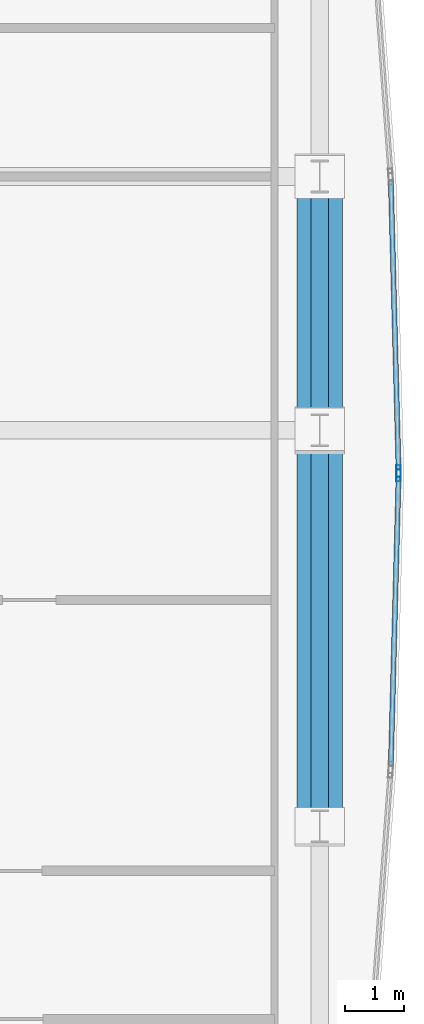
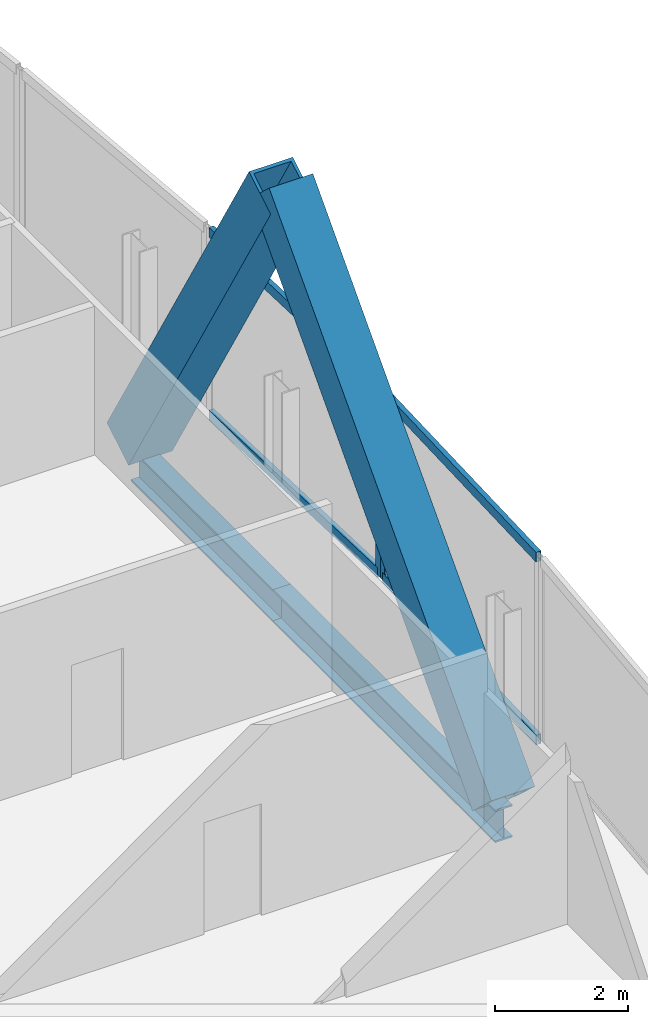
# One storey, part 22 of 31: 8 members, 2 beams, 2 elements without a shape of their own.
"""IFC4 building model written with IfcOpenShell, lengths in metres."""

from ifc_helpers import new_model, si_unit, direction, frame, origin, origin_2d, place, context, subcontext, project, spatial, hollow_rectangle, i_section, extrude, material, material_profile, profile_set, type_object, element, aggregate, save


model = new_model("IFC4")

# Units and contexts
model_context = context("Model", 3, precision=1e-05, world=origin(), true_north=direction((0.0, 1.0)))
body_context = subcontext(model_context, "Body", "Model", "MODEL_VIEW")
ifc_project = project(units=[si_unit("LENGTHUNIT", "METRE"), si_unit("AREAUNIT", "SQUARE_METRE"), si_unit("VOLUMEUNIT", "CUBIC_METRE"), si_unit("PLANEANGLEUNIT", "RADIAN"), si_unit("MASSUNIT", "GRAM", prefix="KILO")], contexts=[model_context])

# Site, building, storey
site_placement = place(None, origin())
site = spatial("IfcSite", under=ifc_project, at=site_placement, CompositionType="ELEMENT")
building_placement = place(site_placement, origin())
building = spatial("IfcBuilding", under=site, at=building_placement, Name="Khoronbel Lancet Exchange", CompositionType="ELEMENT")
storey_placement = place(building_placement, frame((0.0, 0.0, 129.0)))
storey = spatial("IfcBuildingStorey", under=building, at=storey_placement, Name="L31", CompositionType="ELEMENT", Elevation=129.0)

# Beams
ifc_material_1 = material(Name="Steel S355", Category="steel")
ifc_material_profile_1 = material_profile(ifc_material_1, i_section(OverallWidth=0.300048828125, OverallDepth=0.60009765625, WebThickness=0.015380859375, FlangeThickness=0.030029296875, at=origin_2d()), Name="HEB 600")
ifc_profile_set_1 = profile_set([ifc_material_profile_1], Name="Steel S355")
beam_type = type_object("IfcBeamType", Name="BM-BSP2", PredefinedType="SPANDREL", material=ifc_profile_set_1)
beam_1_placement = place(storey_placement, frame((69.6298828125, 24.75, -0.4599609375), z_axis=(0.0, 1.0, 0.0), x_axis=(-1.0, 0.0, 0.0)))
element("IfcBeam", 1, at=beam_1_placement, inside=storey, type_object=beam_type, Name="Level L31 perimeter spandrel beam SP12", PredefinedType="SPANDREL", context=body_context, shape_type="SweptSolid", body=[
    extrude(i_section(OverallWidth=0.300048828125, OverallDepth=0.60009765625, WebThickness=0.015380859375, FlangeThickness=0.030029296875, at=origin_2d()), origin(), (0.0, 0.0, 1.0), 6.675048828125),
])
beam_2_placement = place(storey_placement, frame((69.6298828125, 31.425048828125, -0.4599609375), z_axis=(0.0, 1.0, 0.0), x_axis=(-1.0, 0.0, 0.0)))
element("IfcBeam", 2, at=beam_2_placement, inside=storey, type_object=beam_type, Name="Level L31 perimeter spandrel beam SP13", PredefinedType="SPANDREL", context=body_context, shape_type="SweptSolid", body=[
    extrude(i_section(OverallWidth=0.300048828125, OverallDepth=0.60009765625, WebThickness=0.015380859375, FlangeThickness=0.030029296875, at=origin_2d()), origin(), (0.0, 0.0, 1.0), 4.27490234375),
])

# Curtain wall, member
ifc_material_2 = material(Name="Low-E Solar Control Insulating Glass", Category="glass")
curtain_wall_type = type_object("IfcCurtainWallType", Name="CW-4", PredefinedType="NOTDEFINED", material=ifc_material_2)
curtain_wall_1_placement = place(storey_placement, origin())
curtain_wall_1 = element("IfcCurtainWall", 3, at=curtain_wall_1_placement, inside=storey, type_object=curtain_wall_type, Name="Unitised curtain wall CW-L31-E19", PredefinedType="NOTDEFINED")
ifc_material_3 = material(Name="Bronze-Anodised Aluminium 6063-T6", Category="aluminium")
ifc_material_profile_2 = material_profile(ifc_material_3, hollow_rectangle(XDim=0.074951171875, YDim=0.199951171875, WallThickness=0.0048828125, at=origin_2d()), Name="ALU MULLION 75x200")
ifc_profile_set_2 = profile_set([ifc_material_profile_2], Name="Bronze-Anodised Aluminium 6063-T6")
member_type_1 = type_object("IfcMemberType", Name="MEM-CWM2", PredefinedType="MULLION", material=ifc_profile_set_2)
member_1_placement = place(storey_placement, frame((70.958984375, 30.737548828125, 0.0), z_axis=(0.0, 0.0, 1.0), x_axis=(0.99964096293, 0.026794500031, 0.0)))
member_1 = element("IfcMember", 4, at=member_1_placement, type_object=member_type_1, Name="CW4 mullion 2", PredefinedType="MULLION", context=body_context, shape_type="SweptSolid", body=[
    extrude(hollow_rectangle(XDim=0.074951171875, YDim=0.199951171875, WallThickness=0.0048828125, at=origin_2d()), origin(), (0.0, 0.0, 1.0), 3.43994140625),
])

curtain_wall_2_placement = place(storey_placement, origin())
curtain_wall_2 = element("IfcCurtainWall", 5, at=curtain_wall_2_placement, inside=storey, type_object=curtain_wall_type, Name="Unitised curtain wall CW-L31-E20", PredefinedType="NOTDEFINED")
member_2_placement = place(storey_placement, frame((70.958984375, 30.66259765625, 0.0), z_axis=(0.0, 0.0, 1.0), x_axis=(0.99964096293, -0.026794500031, 0.0)))
member_2 = element("IfcMember", 6, at=member_2_placement, type_object=member_type_1, Name="CW4 mullion 1", PredefinedType="MULLION", context=body_context, shape_type="SweptSolid", body=[
    extrude(hollow_rectangle(XDim=0.074951171875, YDim=0.199951171875, WallThickness=0.0048828125, at=origin_2d()), origin(), (0.0, 0.0, 1.0), 3.43994140625),
])

# Member
ifc_material_profile_3 = material_profile(ifc_material_3, hollow_rectangle(XDim=0.0849609375, YDim=0.179931640625, WallThickness=0.0048828125, at=origin_2d()), Name="ALU TRANSOM 85x180")
ifc_profile_set_3 = profile_set([ifc_material_profile_3], Name="Bronze-Anodised Aluminium 6063-T6")
member_type_2 = type_object("IfcMemberType", Name="MEM-CWT1", PredefinedType="USERDEFINED", material=ifc_profile_set_3)
member_3_placement = place(storey_placement, frame((70.828125, 35.62060546875, 0.04248046875), z_axis=(0.026794084956, -0.999640974056, 0.0), x_axis=(0.999640974056, 0.026794084956, 0.0)))
member_3 = element("IfcMember", 7, at=member_3_placement, type_object=member_type_2, Name="CW4 transom 1.1", ObjectType="TRANSOM", PredefinedType="USERDEFINED", context=body_context, shape_type="SweptSolid", body=[
    extrude(hollow_rectangle(XDim=0.0849609375, YDim=0.179931640625, WallThickness=0.0048828125, at=origin_2d()), origin(), (0.0, 0.0, 1.0), 4.847412109375),
])

member_4_placement = place(storey_placement, frame((70.828125, 35.62060546875, 3.3974609375), z_axis=(0.026794084956, -0.999640974056, 0.0), x_axis=(0.999640974056, 0.026794084956, 0.0)))
member_4 = element("IfcMember", 8, at=member_4_placement, type_object=member_type_2, Name="CW4 transom 1.2", ObjectType="TRANSOM", PredefinedType="USERDEFINED", context=body_context, shape_type="SweptSolid", body=[
    extrude(hollow_rectangle(XDim=0.0849609375, YDim=0.179931640625, WallThickness=0.0048828125, at=origin_2d()), origin(), (0.0, 0.0, 1.0), 4.847412109375),
])

aggregate(curtain_wall_1, [member_1, member_3, member_4])

member_5_placement = place(storey_placement, frame((70.9580078125, 30.625, 0.04248046875), z_axis=(-0.026795434018, -0.999640937895, 0.0), x_axis=(0.999640937895, -0.026795434018, 0.0)))
member_5 = element("IfcMember", 9, at=member_5_placement, type_object=member_type_2, Name="CW4 transom 1.1", ObjectType="TRANSOM", PredefinedType="USERDEFINED", context=body_context, shape_type="SweptSolid", body=[
    extrude(hollow_rectangle(XDim=0.0849609375, YDim=0.179931640625, WallThickness=0.0048828125, at=origin_2d()), origin(), (0.0, 0.0, 1.0), 4.84716796875),
])

member_6_placement = place(storey_placement, frame((70.9580078125, 30.625, 3.3974609375), z_axis=(-0.026795434018, -0.999640937895, 0.0), x_axis=(0.999640937895, -0.026795434018, 0.0)))
member_6 = element("IfcMember", 10, at=member_6_placement, type_object=member_type_2, Name="CW4 transom 1.2", ObjectType="TRANSOM", PredefinedType="USERDEFINED", context=body_context, shape_type="SweptSolid", body=[
    extrude(hollow_rectangle(XDim=0.0849609375, YDim=0.179931640625, WallThickness=0.0048828125, at=origin_2d()), origin(), (0.0, 0.0, 1.0), 4.84716796875),
])

aggregate(curtain_wall_2, [member_2, member_5, member_6])

# Members
ifc_material_4 = material(Name="Steel S460", Category="steel")
ifc_material_profile_4 = material_profile(ifc_material_4, hollow_rectangle(XDim=0.760009765625, YDim=0.760009765625, WallThickness=0.054931640625, at=origin_2d()), Name="BOX 760x760x55")
ifc_profile_set_4 = profile_set([ifc_material_profile_4], Name="Steel S460")
member_type_3 = type_object("IfcMemberType", Name="MEM-MB1", PredefinedType="BRACE", material=ifc_profile_set_4)
member_7_placement = place(storey_placement, frame((69.6298828125, 24.75, 0.0), z_axis=(0.0, 0.679870035637, 0.733332622105), x_axis=(-1.0, 0.0, 0.0)))
element("IfcMember", 11, at=member_7_placement, inside=storey, type_object=member_type_3, Name="Perimeter lancet brace tier 10 E-P-L", PredefinedType="BRACE", context=body_context, shape_type="SweptSolid", body=[
    extrude(hollow_rectangle(XDim=0.760009765625, YDim=0.760009765625, WallThickness=0.054931640625, at=origin_2d()), origin(), (0.0, 0.0, 1.0), 9.818115234375),
])
member_8_placement = place(storey_placement, frame((69.6298828125, 35.699951171875, 0.0), z_axis=(0.0, -0.510532691247, 0.859858343664), x_axis=(1.0, 0.0, 0.0)))
element("IfcMember", 12, at=member_8_placement, inside=storey, type_object=member_type_3, Name="Perimeter lancet brace tier 10 E-P-R", PredefinedType="BRACE", context=body_context, shape_type="SweptSolid", body=[
    extrude(hollow_rectangle(XDim=0.760009765625, YDim=0.760009765625, WallThickness=0.054931640625, at=origin_2d()), origin(), (0.0, 0.0, 1.0), 8.37353515625),
])

save(model, "model.ifc")
